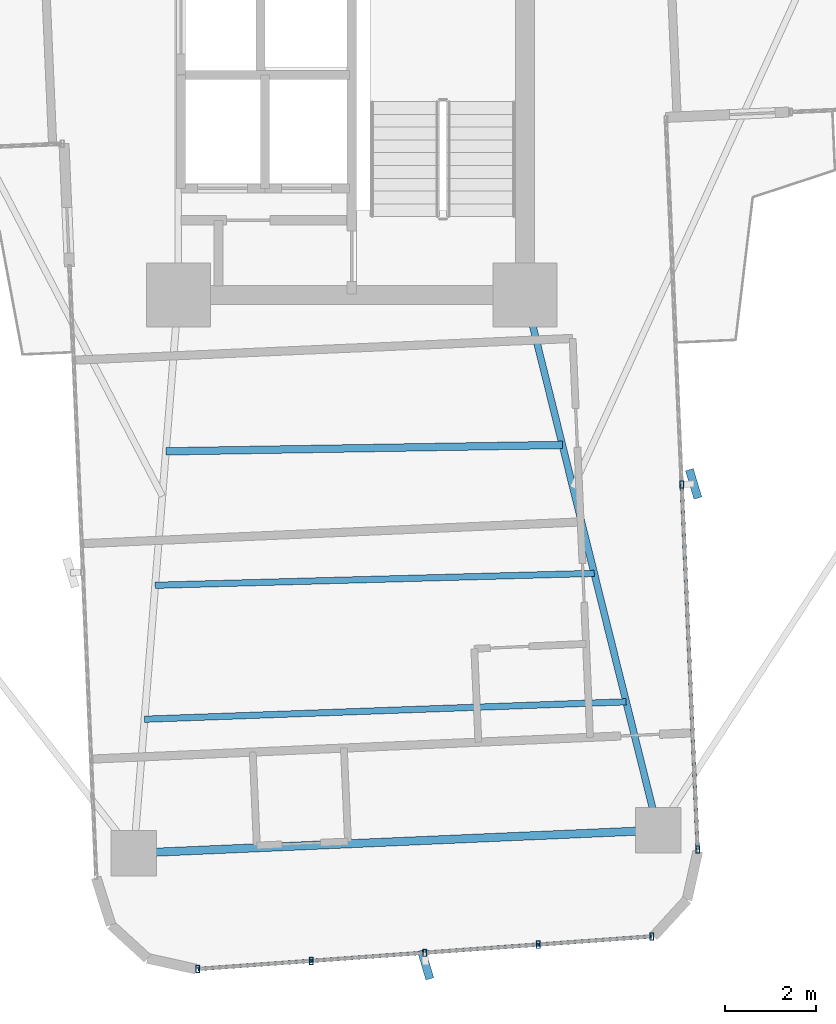
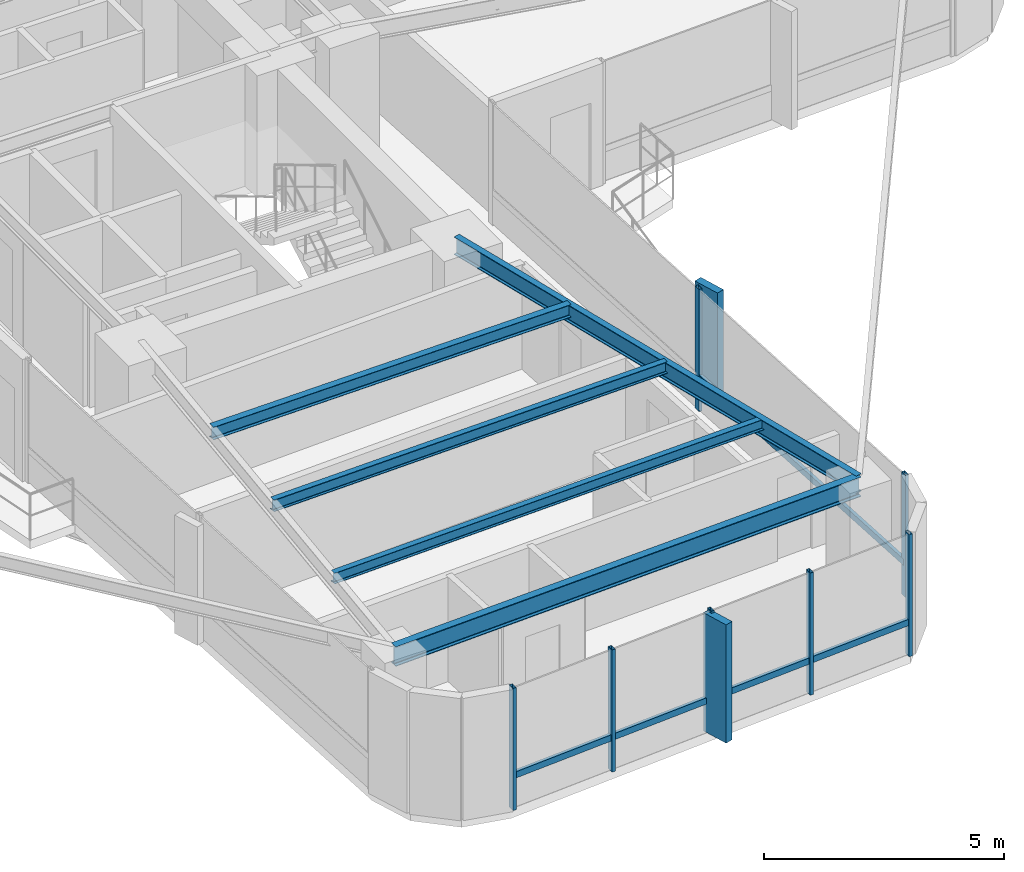
# One storey, part 6 of 26: 14 members, 5 beams, 2 elements without a shape of their own.
"""IFC4 building model written with IfcOpenShell, lengths in metres."""

from ifc_helpers import new_model, si_unit, direction, frame, origin, origin_2d, place, context, subcontext, project, spatial, rectangle, hollow_rectangle, i_section, extrude, source, transform, mapped, material, material_profile, profile_set, type_object, element, aggregate, save


model = new_model("IFC4")

# Units and contexts
model_context = context("Model", 3, precision=1e-05, world=origin(), true_north=direction((0.0, 1.0)))
body_context = subcontext(model_context, "Body", "Model", "MODEL_VIEW")
ifc_project = project(units=[si_unit("LENGTHUNIT", "METRE"), si_unit("AREAUNIT", "SQUARE_METRE"), si_unit("VOLUMEUNIT", "CUBIC_METRE"), si_unit("PLANEANGLEUNIT", "RADIAN"), si_unit("MASSUNIT", "GRAM", prefix="KILO")], contexts=[model_context])

# Site, building, storey
site_placement = place(None, origin())
site = spatial("IfcSite", under=ifc_project, at=site_placement, CompositionType="ELEMENT")
building_placement = place(site_placement, origin())
building = spatial("IfcBuilding", under=site, at=building_placement, Name="Sahyath Konkavel Grand Hotel", CompositionType="ELEMENT")
storey_placement = place(building_placement, frame((0.0, 0.0, 114.800048828125)))
storey = spatial("IfcBuildingStorey", under=building, at=storey_placement, Name="L31", CompositionType="ELEMENT", Elevation=114.800048828125)

# Beams
ifc_material_1 = material(Name="Steel E350", Category="steel")
ifc_material_profile_1 = material_profile(ifc_material_1, i_section(OverallWidth=0.14990234375, OverallDepth=0.449951171875, WebThickness=0.009521484375, FlangeThickness=0.017333984375, FilletRadius=0.014892578125, at=origin_2d()), Name="ISMB 450")
ifc_profile_set_1 = profile_set([ifc_material_profile_1], Name="Steel E350")
beam_type_1 = type_object("IfcBeamType", Name="BM-ISMB450", PredefinedType="BEAM", material=ifc_profile_set_1)
shared_shape_1 = source(origin(), body_context, "Body", "SweptSolid", [
    extrude(i_section(OverallWidth=0.14990234375, OverallDepth=0.449951171875, WebThickness=0.009521484375, FlangeThickness=0.017333984375, FilletRadius=0.014892578125, at=origin_2d()), origin(), (0.0, 0.0, 1.0), 12.084228515625),
])
beam_1_placement = place(storey_placement, frame((3.800048828125, -10.199951171875, 2.885009765625), z_axis=(0.241042688481, -0.970514514229, 0.0), x_axis=(0.970514514229, 0.241042688481, 0.0)))
element("IfcBeam", 1, at=beam_1_placement, inside=storey, type_object=beam_type_1, Name="L31 Cruciform Radial Girder SB", PredefinedType="BEAM", context=body_context, shape_type="MappedRepresentation", body=[
    mapped(shared_shape_1, transform((0.0, 0.0, 0.0), scale=1.0)),
])
ifc_material_profile_2 = material_profile(ifc_material_1, i_section(OverallWidth=0.179931640625, OverallDepth=0.5, WebThickness=0.01025390625, FlangeThickness=0.01708984375, FilletRadius=0.01708984375, at=origin_2d()), Name="ISMB 500")
ifc_profile_set_2 = profile_set([ifc_material_profile_2], Name="Steel E350")
beam_type_2 = type_object("IfcBeamType", Name="BM-ISMB500", PredefinedType="BEAM", material=ifc_profile_set_2)
shared_shape_2 = source(origin(), body_context, "Body", "SweptSolid", [
    extrude(i_section(OverallWidth=0.179931640625, OverallDepth=0.5, WebThickness=0.01025390625, FlangeThickness=0.01708984375, FilletRadius=0.01708984375, at=origin_2d()), origin(), (0.0, 0.0, 1.0), 11.5),
])
beam_2_placement = place(storey_placement, frame((-4.776123046875, -22.4296875, 2.85986328125), z_axis=(0.99904788879, 0.043627008892, 0.0), x_axis=(-0.043627008892, 0.99904788879, 0.0)))
element("IfcBeam", 2, at=beam_2_placement, inside=storey, type_object=beam_type_2, Name="L31 Wing Tip Edge Beam S", PredefinedType="BEAM", context=body_context, shape_type="MappedRepresentation", body=[
    mapped(shared_shape_2, transform((0.0, 0.0, 0.0), scale=1.0)),
])
ifc_material_profile_3 = material_profile(ifc_material_1, i_section(OverallWidth=0.1650390625, OverallDepth=0.324951171875, WebThickness=0.007080078125, FlangeThickness=0.009765625, FilletRadius=0.014892578125, at=origin_2d()), Name="ISLB 325")
ifc_profile_set_3 = profile_set([ifc_material_profile_3], Name="Steel E350")
beam_type_3 = type_object("IfcBeamType", Name="BM-ISLB325", PredefinedType="BEAM", material=ifc_profile_set_3)
shared_shape_3 = source(origin(), body_context, "Body", "SweptSolid", [
    extrude(i_section(OverallWidth=0.1650390625, OverallDepth=0.324951171875, WebThickness=0.007080078125, FlangeThickness=0.009765625, FilletRadius=0.014892578125, at=origin_2d()), origin(), (0.0, 0.0, 1.0), 8.68994140625),
])
beam_3_placement = place(storey_placement, frame((-4.0732421875, -13.624267578125, 2.947509765625), z_axis=(0.999869506431, 0.016154569283, 0.0), x_axis=(-0.016154569283, 0.999869506431, 0.0)))
element("IfcBeam", 3, at=beam_3_placement, inside=storey, type_object=beam_type_3, Name="L31 Secondary Floor Beam S-1", PredefinedType="BEAM", context=body_context, shape_type="MappedRepresentation", body=[
    mapped(shared_shape_3, transform((0.0, 0.0, 0.0), scale=1.0)),
])
ifc_material_profile_4 = material_profile(ifc_material_1, i_section(OverallWidth=0.139892578125, OverallDepth=0.300048828125, WebThickness=0.0078125, FlangeThickness=0.01318359375, FilletRadius=0.013916015625, at=origin_2d()), Name="ISMB 300")
ifc_profile_set_4 = profile_set([ifc_material_profile_4], Name="Steel E350")
beam_type_4 = type_object("IfcBeamType", Name="BM-ISMB300", PredefinedType="BEAM", material=ifc_profile_set_4)
shared_shape_4 = source(origin(), body_context, "Body", "SweptSolid", [
    extrude(i_section(OverallWidth=0.139892578125, OverallDepth=0.300048828125, WebThickness=0.0078125, FlangeThickness=0.01318359375, FilletRadius=0.013916015625, at=origin_2d()), origin(), (0.0, 0.0, 1.0), 9.625732421875),
])
beam_4_placement = place(storey_placement, frame((-4.3076171875, -16.559326171875, 2.9599609375), z_axis=(0.999633060528, 0.027087714933, 0.0), x_axis=(-0.027087714933, 0.999633060528, 0.0)))
element("IfcBeam", 4, at=beam_4_placement, inside=storey, type_object=beam_type_4, Name="L31 Secondary Floor Beam S-2", PredefinedType="BEAM", context=body_context, shape_type="MappedRepresentation", body=[
    mapped(shared_shape_4, transform((0.0, 0.0, 0.0), scale=1.0)),
])
ifc_material_profile_5 = material_profile(ifc_material_1, i_section(OverallWidth=0.139892578125, OverallDepth=0.27490234375, WebThickness=0.00634765625, FlangeThickness=0.0087890625, FilletRadius=0.012939453125, at=origin_2d()), Name="ISLB 275")
ifc_profile_set_5 = profile_set([ifc_material_profile_5], Name="Steel E350")
beam_type_5 = type_object("IfcBeamType", Name="BM-ISLB275", PredefinedType="BEAM", material=ifc_profile_set_5)
shared_shape_5 = source(origin(), body_context, "Body", "SweptSolid", [
    extrude(i_section(OverallWidth=0.139892578125, OverallDepth=0.27490234375, WebThickness=0.00634765625, FlangeThickness=0.0087890625, FilletRadius=0.012939453125, at=origin_2d()), origin(), (0.0, 0.0, 1.0), 10.562744140625),
])
beam_5_placement = place(storey_placement, frame((-4.5419921875, -19.49462890625, 2.972412109375), z_axis=(0.999348077295, 0.036102914095, 0.0), x_axis=(-0.036102914095, 0.999348077295, 0.0)))
element("IfcBeam", 5, at=beam_5_placement, inside=storey, type_object=beam_type_5, Name="L31 Secondary Floor Beam S-3", PredefinedType="BEAM", context=body_context, shape_type="MappedRepresentation", body=[
    mapped(shared_shape_5, transform((0.0, 0.0, 0.0), scale=1.0)),
])

# Curtain wall, members
ifc_material_2 = material(Name="Anodised Bronze Aluminium & Low-E Glazing", Category="aluminium")
curtain_wall_type = type_object("IfcCurtainWallType", Name="CW-ZONE2", PredefinedType="NOTDEFINED", material=ifc_material_2)
curtain_wall_1_placement = place(storey_placement, origin())
curtain_wall_1 = element("IfcCurtainWall", 6, at=curtain_wall_1_placement, inside=storey, type_object=curtain_wall_type, Name="L31 Unitised Curtain Wall F28", PredefinedType="NOTDEFINED")
ifc_material_3 = material(Name="Anodised Bronze Aluminium", Category="aluminium")
ifc_material_profile_6 = material_profile(ifc_material_3, hollow_rectangle(XDim=0.080078125, YDim=0.159912109375, WallThickness=0.006103515625, at=origin_2d()), Name="RHS 160x80x6")
ifc_profile_set_6 = profile_set([ifc_material_profile_6], Name="Anodised Bronze Aluminium")
member_type_1 = type_object("IfcMemberType", Name="CW-MUL-160", PredefinedType="MULLION", material=ifc_profile_set_6)
shared_shape_6 = source(origin(), body_context, "Body", "SweptSolid", [
    extrude(hollow_rectangle(XDim=0.080078125, YDim=0.159912109375, WallThickness=0.006103515625, at=origin_2d()), origin(), (0.0, 0.0, 1.0), 3.10986328125),
])
member_1_placement = place(storey_placement, frame((-3.3740234375, -24.9697265625, 0.0), z_axis=(0.0, 0.0, 1.0), x_axis=(1.0, 0.0, 0.0)))
member_1 = element("IfcMember", 7, at=member_1_placement, type_object=member_type_1, Name="L31 Curtain Wall Mullion F28-0", PredefinedType="MULLION", context=body_context, shape_type="MappedRepresentation", body=[
    mapped(shared_shape_6, transform((0.0, 0.0, 0.0), scale=1.0)),
])
member_2_placement = place(storey_placement, frame((-0.886962890625, -24.79150390625, 0.0), z_axis=(0.0, 0.0, 1.0), x_axis=(1.0, 0.0, 0.0)))
member_2 = element("IfcMember", 8, at=member_2_placement, type_object=member_type_1, Name="L31 Curtain Wall Mullion F28-1", PredefinedType="MULLION", context=body_context, shape_type="MappedRepresentation", body=[
    mapped(shared_shape_6, transform((0.0, 0.0, 0.0), scale=1.0)),
])
member_3_placement = place(storey_placement, frame((1.60009765625, -24.61279296875, 0.0), z_axis=(0.0, 0.0, 1.0), x_axis=(1.0, 0.0, 0.0)))
member_3 = element("IfcMember", 9, at=member_3_placement, type_object=member_type_1, Name="L31 Curtain Wall Mullion F28-2", PredefinedType="MULLION", context=body_context, shape_type="MappedRepresentation", body=[
    mapped(shared_shape_6, transform((0.0, 0.0, 0.0), scale=1.0)),
])
member_4_placement = place(storey_placement, frame((4.087158203125, -24.4345703125, 0.0), z_axis=(0.0, 0.0, 1.0), x_axis=(1.0, 0.0, 0.0)))
member_4 = element("IfcMember", 10, at=member_4_placement, type_object=member_type_1, Name="L31 Curtain Wall Mullion F28-3", PredefinedType="MULLION", context=body_context, shape_type="MappedRepresentation", body=[
    mapped(shared_shape_6, transform((0.0, 0.0, 0.0), scale=1.0)),
])
member_5_placement = place(storey_placement, frame((6.57421875, -24.256103515625, 0.0), z_axis=(0.0, 0.0, 1.0), x_axis=(1.0, 0.0, 0.0)))
member_5 = element("IfcMember", 11, at=member_5_placement, type_object=member_type_1, Name="L31 Curtain Wall Mullion F28-4", PredefinedType="MULLION", context=body_context, shape_type="MappedRepresentation", body=[
    mapped(shared_shape_6, transform((0.0, 0.0, 0.0), scale=1.0)),
])

curtain_wall_2_placement = place(storey_placement, origin())
curtain_wall_2 = element("IfcCurtainWall", 12, at=curtain_wall_2_placement, inside=storey, type_object=curtain_wall_type, Name="L31 Unitised Curtain Wall F31", PredefinedType="NOTDEFINED")
member_6_placement = place(storey_placement, frame((7.582275390625, -22.3505859375, 0.0), z_axis=(0.0, 0.0, 1.0), x_axis=(1.0, 0.0, 0.0)))
member_6 = element("IfcMember", 13, at=member_6_placement, type_object=member_type_1, Name="L31 Curtain Wall Mullion F31-0", PredefinedType="MULLION", context=body_context, shape_type="MappedRepresentation", body=[
    mapped(shared_shape_6, transform((0.0, 0.0, 0.0), scale=1.0)),
])
member_7_placement = place(storey_placement, frame((7.232666015625, -14.34814453125, 0.0), z_axis=(0.0, 0.0, 1.0), x_axis=(1.0, 0.0, 0.0)))
member_7 = element("IfcMember", 14, at=member_7_placement, type_object=member_type_1, Name="L31 Curtain Wall Mullion F31-1", PredefinedType="MULLION", context=body_context, shape_type="MappedRepresentation", body=[
    mapped(shared_shape_6, transform((0.0, 0.0, 0.0), scale=1.0)),
])

# Member
ifc_material_4 = material(Name="Warm Buff Sandstone Cladding on Concrete C50/60", Category="masonry")
ifc_material_profile_7 = material_profile(ifc_material_4, rectangle(XDim=0.179931640625, YDim=0.64990234375, at=origin_2d()), Name="FIN 180x650")
ifc_profile_set_7 = profile_set([ifc_material_profile_7], Name="Warm Buff Sandstone Cladding on Concrete C50/60")
member_type_2 = type_object("IfcMemberType", Name="FIN-SANDSTONE-650", PredefinedType="MULLION", material=ifc_profile_set_7)
shared_shape_7 = source(origin(), body_context, "Body", "SweptSolid", [
    extrude(rectangle(XDim=0.179931640625, YDim=0.64990234375, at=origin_2d()), origin(), (0.0, 0.0, 1.0), 3.010009765625),
])
member_8_placement = place(storey_placement, frame((1.61865234375, -24.872314453125, 0.050048828125), z_axis=(0.0, 0.0, 1.0), x_axis=(0.958720536398, 0.28435001862, 0.0)))
member_8 = element("IfcMember", 15, at=member_8_placement, type_object=member_type_2, Name="L31 Sandstone Vertical Solar Fin FIN F28-2", PredefinedType="MULLION", context=body_context, shape_type="MappedRepresentation", body=[
    mapped(shared_shape_7, transform((0.0, 0.0, 0.0), scale=1.0)),
])

member_9_placement = place(storey_placement, frame((7.492431640625, -14.3369140625, 0.050048828125), z_axis=(0.0, 0.0, 1.0), x_axis=(0.957621645958, 0.288029136015, 0.0)))
member_9 = element("IfcMember", 16, at=member_9_placement, type_object=member_type_2, Name="L31 Sandstone Vertical Solar Fin FIN F31-1", PredefinedType="MULLION", context=body_context, shape_type="MappedRepresentation", body=[
    mapped(shared_shape_7, transform((0.0, 0.0, 0.0), scale=1.0)),
])

ifc_material_profile_8 = material_profile(ifc_material_3, hollow_rectangle(XDim=0.080078125, YDim=0.159912109375, WallThickness=0.006103515625, at=origin_2d()), Name="RHS 160x80x6")
ifc_profile_set_8 = profile_set([ifc_material_profile_8], Name="Anodised Bronze Aluminium")
member_type_3 = type_object("IfcMemberType", Name="CW-TRN-160", PredefinedType="USERDEFINED", material=ifc_profile_set_8)
shared_shape_8 = source(origin(), body_context, "Body", "SweptSolid", [
    extrude(hollow_rectangle(XDim=0.080078125, YDim=0.159912109375, WallThickness=0.006103515625, at=origin_2d()), origin(), (0.0, 0.0, 1.0), 2.493408203125),
])
member_10_placement = place(storey_placement, frame((-3.3740234375, -24.9697265625, 0.849853515625), z_axis=(0.997442271688, 0.071476672066, 0.0), x_axis=(-0.071476672066, 0.997442271688, 0.0)))
member_10 = element("IfcMember", 17, at=member_10_placement, type_object=member_type_3, Name="L31 Curtain Wall Transom F28-0-spandrel", ObjectType="TRANSOM", PredefinedType="USERDEFINED", context=body_context, shape_type="MappedRepresentation", body=[
    mapped(shared_shape_8, transform((0.0, 0.0, 0.0), scale=1.0)),
])

member_11_placement = place(storey_placement, frame((-0.886962890625, -24.79150390625, 0.849853515625), z_axis=(0.997428291631, 0.071671494009, 0.0), x_axis=(-0.071671494009, 0.997428291631, 0.0)))
member_11 = element("IfcMember", 18, at=member_11_placement, type_object=member_type_3, Name="L31 Curtain Wall Transom F28-1-spandrel", ObjectType="TRANSOM", PredefinedType="USERDEFINED", context=body_context, shape_type="MappedRepresentation", body=[
    mapped(shared_shape_8, transform((0.0, 0.0, 0.0), scale=1.0)),
])

member_12_placement = place(storey_placement, frame((1.60009765625, -24.61279296875, 0.849853515625), z_axis=(0.997442271688, 0.071476672066, 0.0), x_axis=(-0.071476672066, 0.997442271688, 0.0)))
member_12 = element("IfcMember", 19, at=member_12_placement, type_object=member_type_3, Name="L31 Curtain Wall Transom F28-2-spandrel", ObjectType="TRANSOM", PredefinedType="USERDEFINED", context=body_context, shape_type="MappedRepresentation", body=[
    mapped(shared_shape_8, transform((0.0, 0.0, 0.0), scale=1.0)),
])

member_13_placement = place(storey_placement, frame((4.087158203125, -24.4345703125, 0.849853515625), z_axis=(0.997435286367, 0.071574084062, 0.0), x_axis=(-0.071574084062, 0.997435286367, 0.0)))
member_13 = element("IfcMember", 20, at=member_13_placement, type_object=member_type_3, Name="L31 Curtain Wall Transom F28-3-spandrel", ObjectType="TRANSOM", PredefinedType="USERDEFINED", context=body_context, shape_type="MappedRepresentation", body=[
    mapped(shared_shape_8, transform((0.0, 0.0, 0.0), scale=1.0)),
])

aggregate(curtain_wall_1, [member_1, member_2, member_3, member_8, member_4, member_5, member_10, member_11, member_12, member_13])

shared_shape_9 = source(origin(), body_context, "Body", "SweptSolid", [
    extrude(hollow_rectangle(XDim=0.080078125, YDim=0.159912109375, WallThickness=0.006103515625, at=origin_2d()), origin(), (0.0, 0.0, 1.0), 8.010009765625),
])
member_14_placement = place(storey_placement, frame((7.582275390625, -22.3505859375, 0.849853515625), z_axis=(-0.043646207089, 0.999047050247, 0.0), x_axis=(-0.999047050247, -0.043646207089, 0.0)))
member_14 = element("IfcMember", 21, at=member_14_placement, type_object=member_type_3, Name="L31 Curtain Wall Transom F31-0-spandrel", ObjectType="TRANSOM", PredefinedType="USERDEFINED", context=body_context, shape_type="MappedRepresentation", body=[
    mapped(shared_shape_9, transform((0.0, 0.0, 0.0), scale=1.0)),
])

aggregate(curtain_wall_2, [member_6, member_7, member_9, member_14])

save(model, "model.ifc")
